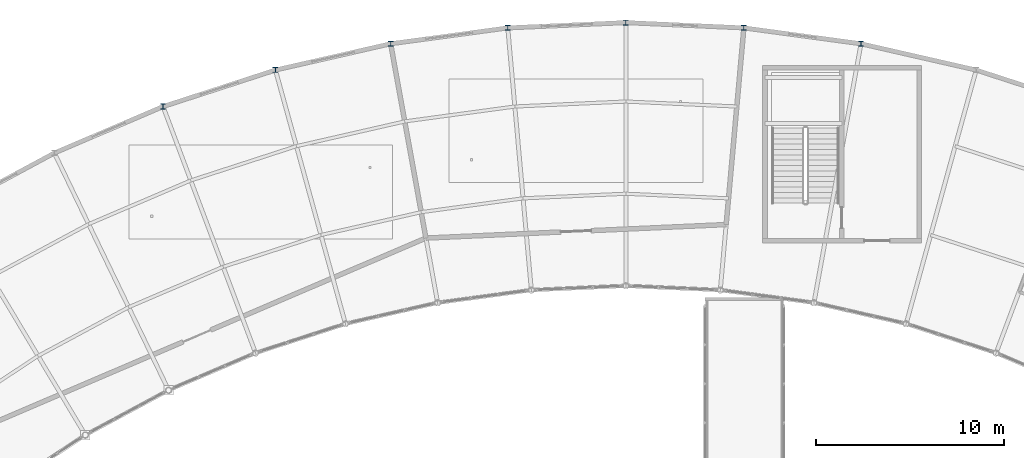
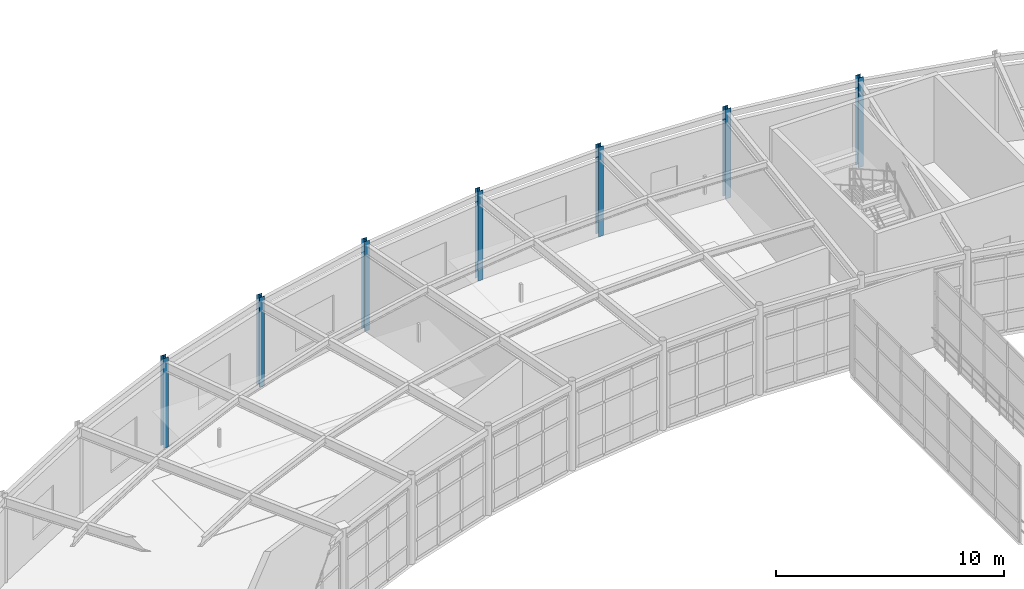
# One storey, part 12 of 105: 7 columns.
"""IFC4 building model written with IfcOpenShell, lengths in metres."""

from ifc_helpers import new_model, si_unit, direction, frame, origin, origin_2d, place, context, subcontext, project, spatial, i_section, extrude, material, material_profile, profile_set, type_object, element, save


model = new_model("IFC4")

# Units and contexts
model_context = context("Model", 3, precision=1e-05, world=origin(), true_north=direction((0.0, 1.0)))
body_context = subcontext(model_context, "Body", "Model", "MODEL_VIEW")
ifc_project = project(units=[si_unit("LENGTHUNIT", "METRE"), si_unit("AREAUNIT", "SQUARE_METRE"), si_unit("VOLUMEUNIT", "CUBIC_METRE"), si_unit("PLANEANGLEUNIT", "RADIAN"), si_unit("MASSUNIT", "GRAM", prefix="KILO")], contexts=[model_context])

# Site, building, storey
site_placement = place(None, origin())
site = spatial("IfcSite", under=ifc_project, at=site_placement, CompositionType="ELEMENT")
building_placement = place(site_placement, origin())
building = spatial("IfcBuilding", under=site, at=building_placement, Name="Selat Folded Stagehouse", CompositionType="ELEMENT")
storey_placement = place(building_placement, frame((0.0, 0.0, 10.199951171875)))
storey = spatial("IfcBuildingStorey", under=building, at=storey_placement, Name="L02", CompositionType="ELEMENT", Elevation=10.199951171875)

# Columns
ifc_material = material(Name="Steel S355", Category="steel")
ifc_material_profile = material_profile(ifc_material, i_section(OverallWidth=0.2587890625, OverallDepth=0.2666015625, WebThickness=0.0126953125, FlangeThickness=0.0205078125, FilletRadius=0.0126953125, at=origin_2d()), Name="UKC 254x254x107")
ifc_profile_set = profile_set([ifc_material_profile], Name="Steel S355")
column_type = type_object("IfcColumnType", Name="COL-UKC-254x254x107", PredefinedType="COLUMN", material=ifc_profile_set)
for number, where, z_axis, x_axis, name in (
    (1, (67.8037109375, 103.536376953125, 0.0), (0.0, 0.0, 1.0), (1.0, 0.0, 0.0), "L02 column STK-V6OUT-03"),
    (2, (73.77734375, 105.477294921875, 0.0), (0.0, 0.0, 1.0), (1.0, 0.0, 0.0), "L02 column STK-V6OUT-04"),
    (3, (79.90087890625, 106.875, 0.0), (0.0, 0.0, 1.0), (1.0, 0.0, 0.0), "L02 column STK-V6OUT-05"),
    (4, (86.125244140625, 107.71826171875, 0.0), (0.0, 0.0, 1.0), (1.0, 0.0, 0.0), "L02 column STK-V6OUT-06"),
    (5, (92.39990234375, 108.0, 0.0), (0.0, 0.0, 1.0), (1.0, 0.0, 0.0), "L02 column STK-V6OUT-07"),
    (6, (98.6748046875, 107.71826171875, 0.0), (0.0, 0.0, 1.0), (1.0, 0.0, 0.0), "L02 column STK-V6OUT-08"),
    (7, (104.89892578125, 106.875, 0.0), (0.0, 0.0, 1.0), (1.0, 0.0, 0.0), "L02 column STK-V6OUT-09"),
):
    element("IfcColumn", number, at=place(storey_placement, frame(where, z_axis=z_axis, x_axis=x_axis)), inside=storey, type_object=column_type, Name=name, PredefinedType="COLUMN", context=body_context, shape_type="SweptSolid", body=[
        extrude(i_section(OverallWidth=0.2587890625, OverallDepth=0.2666015625, WebThickness=0.0126953125, FlangeThickness=0.0205078125, FilletRadius=0.0126953125, at=origin_2d()), origin(), (0.0, 0.0, 1.0), 4.800048828125),
    ])

save(model, "model.ifc")
